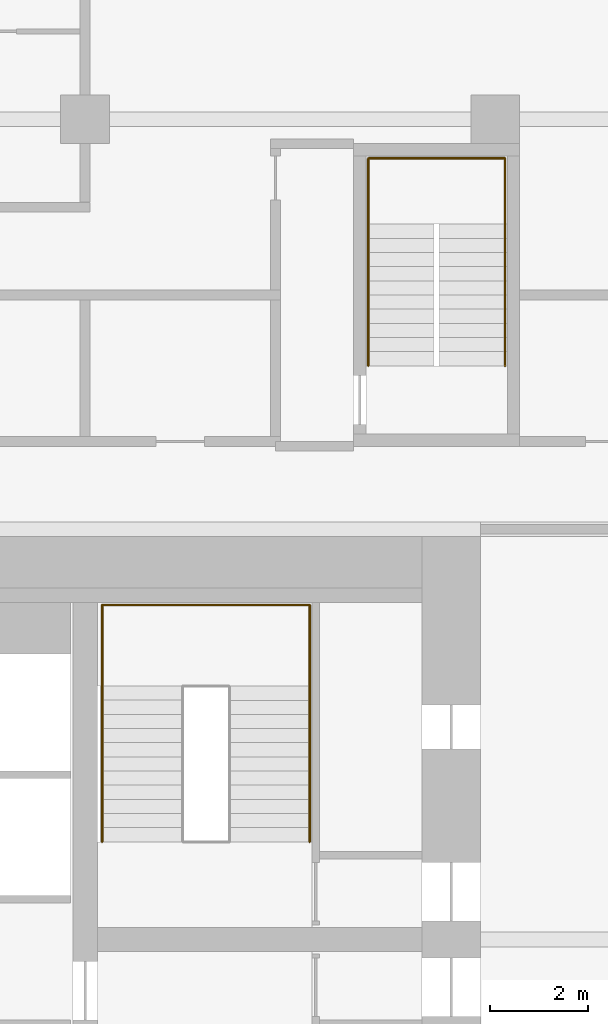
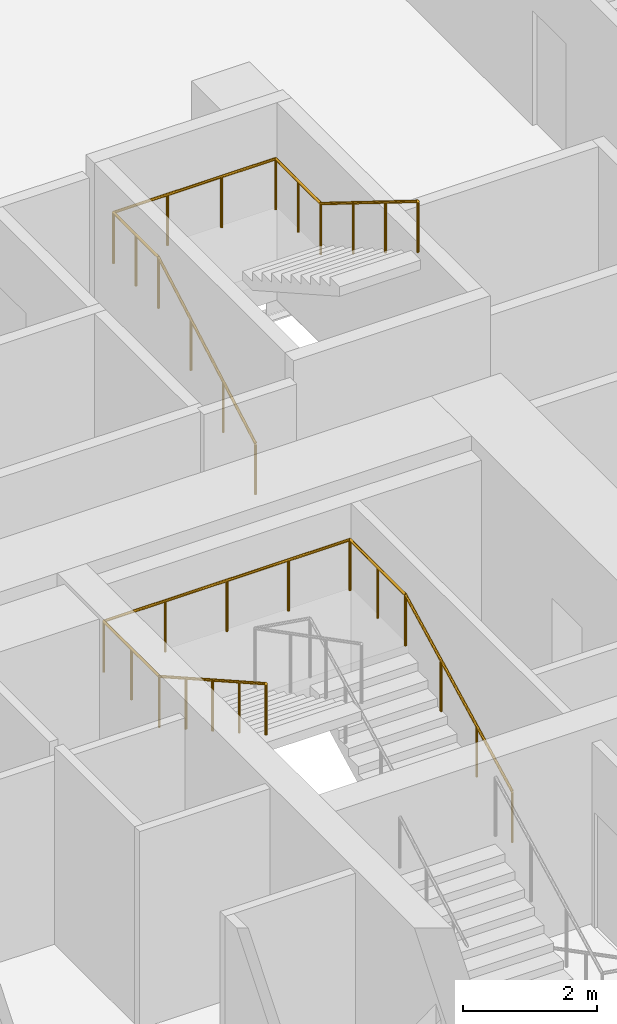
# One storey, part 34 of 34: 2 railings.
"""IFC4 building model written with IfcOpenShell, lengths in metres."""

from ifc_helpers import new_model, si_unit, direction, frame, origin, origin_2d, place, context, subcontext, project, spatial, circle, extrude, material, type_object, element, save


model = new_model("IFC4")

# Units and contexts
model_context = context("Model", 3, precision=1e-05, world=origin(), true_north=direction((0.0, 1.0)))
body_context = subcontext(model_context, "Body", "Model", "MODEL_VIEW")
ifc_project = project(units=[si_unit("LENGTHUNIT", "METRE"), si_unit("AREAUNIT", "SQUARE_METRE"), si_unit("VOLUMEUNIT", "CUBIC_METRE"), si_unit("PLANEANGLEUNIT", "RADIAN"), si_unit("MASSUNIT", "GRAM", prefix="KILO")], contexts=[model_context])

# Site, building, storey
site_placement = place(None, origin())
site = spatial("IfcSite", under=ifc_project, at=site_placement, CompositionType="ELEMENT")
building_placement = place(site_placement, origin())
building = spatial("IfcBuilding", under=site, at=building_placement, Name="Marenta Gate Hotel Tower", CompositionType="ELEMENT")
storey_placement = place(building_placement, frame((0.0, 0.0, 47.300048828125)))
storey = spatial("IfcBuildingStorey", under=building, at=storey_placement, Name="L09", CompositionType="ELEMENT", Elevation=47.300048828125)

# Railings
ifc_material = material(Name="Stainless steel", Category="steel")
railing_type = type_object("IfcRailingType", Name="Core stair handrail 950", PredefinedType="HANDRAIL", material=ifc_material)
railing_1_placement = place(storey_placement, frame((8.800048828125, 10.39990234375, 0.14990234375)))
element("IfcRailing", 1, at=railing_1_placement, inside=storey, type_object=railing_type, Name="HR-950 L09-KR-ST4-1", PredefinedType="HANDRAIL", context=body_context, shape_type="SweptSolid", body=[
    extrude(circle(Radius=0.02392578125, at=origin_2d()), frame((0.0, 0.0, 0.92578125), z_axis=(0.0, 0.888211904222, 0.459434013977), x_axis=(-1.0, 0.0, 0.0)), (0.0, 0.0, 1.0), 3.591796875),
    extrude(circle(Radius=0.02392578125, at=origin_2d()), frame((0.0, 3.190185546875, 2.576171875), z_axis=(0.0, 1.0, 0.0), x_axis=(-1.0, 0.0, 0.0)), (0.0, 0.0, 1.0), 1.659912109375),
    extrude(circle(Radius=0.02392578125, at=origin_2d()), frame((0.0, 4.85009765625, 2.576171875), z_axis=(-1.0, 0.0, 0.0), x_axis=(0.0, -1.0, 0.0)), (0.0, 0.0, 1.0), 4.25),
    extrude(circle(Radius=0.02392578125, at=origin_2d()), frame((-4.25, 4.85009765625, 2.576171875), z_axis=(0.0, -1.0, 0.0), x_axis=(1.0, 0.0, 0.0)), (0.0, 0.0, 1.0), 1.659912109375),
    extrude(circle(Radius=0.02392578125, at=origin_2d()), frame((-4.25, 3.190185546875, 2.576171875), z_axis=(0.0, -0.870953600603, 0.491365266982), x_axis=(1.0, 0.0, 0.0)), (0.0, 0.0, 1.0), 3.662841796875),
    extrude(circle(Radius=0.02099609375, at=origin_2d()), origin(), (0.0, 0.0, 1.0), 0.90185546875),
    extrude(circle(Radius=0.02099609375, at=origin_2d()), frame((0.0, 1.0634765625, 0.550048828125)), (0.0, 0.0, 1.0), 0.90185546875),
    extrude(circle(Radius=0.02099609375, at=origin_2d()), frame((0.0, 2.126708984375, 1.10009765625)), (0.0, 0.0, 1.0), 0.90185546875),
    extrude(circle(Radius=0.02099609375, at=origin_2d()), frame((0.0, 3.190185546875, 1.650146484375)), (0.0, 0.0, 1.0), 0.90185546875),
    extrude(circle(Radius=0.02099609375, at=origin_2d()), frame((0.0, 4.02001953125, 1.650146484375)), (0.0, 0.0, 1.0), 0.90185546875),
    extrude(circle(Radius=0.02099609375, at=origin_2d()), frame((0.0, 4.85009765625, 1.650146484375)), (0.0, 0.0, 1.0), 0.90185546875),
    extrude(circle(Radius=0.02099609375, at=origin_2d()), frame((-1.0625, 4.85009765625, 1.650146484375)), (0.0, 0.0, 1.0), 0.90185546875),
    extrude(circle(Radius=0.02099609375, at=origin_2d()), frame((-2.125, 4.85009765625, 1.650146484375)), (0.0, 0.0, 1.0), 0.90185546875),
    extrude(circle(Radius=0.02099609375, at=origin_2d()), frame((-3.1875, 4.85009765625, 1.650146484375)), (0.0, 0.0, 1.0), 0.90185546875),
    extrude(circle(Radius=0.02099609375, at=origin_2d()), frame((-4.25, 4.85009765625, 1.650146484375)), (0.0, 0.0, 1.0), 0.90185546875),
    extrude(circle(Radius=0.02099609375, at=origin_2d()), frame((-4.25, 4.02001953125, 1.650146484375)), (0.0, 0.0, 1.0), 0.90185546875),
    extrude(circle(Radius=0.02099609375, at=origin_2d()), frame((-4.25, 3.190185546875, 1.650146484375)), (0.0, 0.0, 1.0), 0.90185546875),
    extrude(circle(Radius=0.02099609375, at=origin_2d()), frame((-4.25, 2.392578125, 2.10009765625)), (0.0, 0.0, 1.0), 0.90185546875),
    extrude(circle(Radius=0.02099609375, at=origin_2d()), frame((-4.25, 1.59521484375, 2.550048828125)), (0.0, 0.0, 1.0), 0.90185546875),
    extrude(circle(Radius=0.02099609375, at=origin_2d()), frame((-4.25, 0.797607421875, 3.0)), (0.0, 0.0, 1.0), 0.90185546875),
    extrude(circle(Radius=0.02099609375, at=origin_2d()), frame((-4.25, 0.0, 3.449951171875)), (0.0, 0.0, 1.0), 0.90185546875),
])
railing_2_placement = place(storey_placement, frame((10.0, 20.14990234375, 0.16357421875)))
element("IfcRailing", 2, at=railing_2_placement, inside=storey, type_object=railing_type, Name="HR-950 L09-RS-Z1-4-KR-1", PredefinedType="HANDRAIL", context=body_context, shape_type="SweptSolid", body=[
    extrude(circle(Radius=0.02392578125, at=origin_2d()), frame((0.0, 0.0, 0.92578125), z_axis=(0.0, 0.870914908162, 0.491433843708), x_axis=(-1.0, 0.0, 0.0)), (0.0, 0.0, 1.0), 3.330078125),
    extrude(circle(Radius=0.02392578125, at=origin_2d()), frame((0.0, 2.900146484375, 2.5625), z_axis=(0.0, 1.0, 0.0), x_axis=(-1.0, 0.0, 0.0)), (0.0, 0.0, 1.0), 1.349853515625),
    extrude(circle(Radius=0.02392578125, at=origin_2d()), frame((0.0, 4.25, 2.5625), z_axis=(1.0, 0.0, 0.0), x_axis=(0.0, 1.0, 0.0)), (0.0, 0.0, 1.0), 2.800048828125),
    extrude(circle(Radius=0.02392578125, at=origin_2d()), frame((2.800048828125, 4.25, 2.5625), z_axis=(0.0, -1.0, 0.0), x_axis=(1.0, 0.0, 0.0)), (0.0, 0.0, 1.0), 1.349853515625),
    extrude(circle(Radius=0.02392578125, at=origin_2d()), frame((2.800048828125, 2.900146484375, 2.5625), z_axis=(0.0, -0.849677739116, 0.527302322819), x_axis=(1.0, 0.0, 0.0)), (0.0, 0.0, 1.0), 3.413330078125),
    extrude(circle(Radius=0.02099609375, at=origin_2d()), origin(), (0.0, 0.0, 1.0), 0.90185546875),
    extrude(circle(Radius=0.02099609375, at=origin_2d()), frame((0.0, 0.966796875, 0.54541015625)), (0.0, 0.0, 1.0), 0.90185546875),
    extrude(circle(Radius=0.02099609375, at=origin_2d()), frame((0.0, 1.933349609375, 1.091064453125)), (0.0, 0.0, 1.0), 0.90185546875),
    extrude(circle(Radius=0.02099609375, at=origin_2d()), frame((0.0, 2.900146484375, 1.636474609375)), (0.0, 0.0, 1.0), 0.90185546875),
    extrude(circle(Radius=0.02099609375, at=origin_2d()), frame((0.0, 3.5751953125, 1.636474609375)), (0.0, 0.0, 1.0), 0.90185546875),
    extrude(circle(Radius=0.02099609375, at=origin_2d()), frame((0.0, 4.25, 1.636474609375)), (0.0, 0.0, 1.0), 0.90185546875),
    extrude(circle(Radius=0.02099609375, at=origin_2d()), frame((0.933349609375, 4.25, 1.636474609375)), (0.0, 0.0, 1.0), 0.90185546875),
    extrude(circle(Radius=0.02099609375, at=origin_2d()), frame((1.86669921875, 4.25, 1.636474609375)), (0.0, 0.0, 1.0), 0.90185546875),
    extrude(circle(Radius=0.02099609375, at=origin_2d()), frame((2.800048828125, 4.25, 1.636474609375)), (0.0, 0.0, 1.0), 0.90185546875),
    extrude(circle(Radius=0.02099609375, at=origin_2d()), frame((2.800048828125, 3.5751953125, 1.636474609375)), (0.0, 0.0, 1.0), 0.90185546875),
    extrude(circle(Radius=0.02099609375, at=origin_2d()), frame((2.800048828125, 2.900146484375, 1.636474609375)), (0.0, 0.0, 1.0), 0.90185546875),
    extrude(circle(Radius=0.02099609375, at=origin_2d()), frame((2.800048828125, 1.933349609375, 2.236328125)), (0.0, 0.0, 1.0), 0.90185546875),
    extrude(circle(Radius=0.02099609375, at=origin_2d()), frame((2.800048828125, 0.966796875, 2.83642578125)), (0.0, 0.0, 1.0), 0.90185546875),
    extrude(circle(Radius=0.02099609375, at=origin_2d()), frame((2.800048828125, 0.0, 3.436279296875)), (0.0, 0.0, 1.0), 0.90185546875),
])

save(model, "model.ifc")
